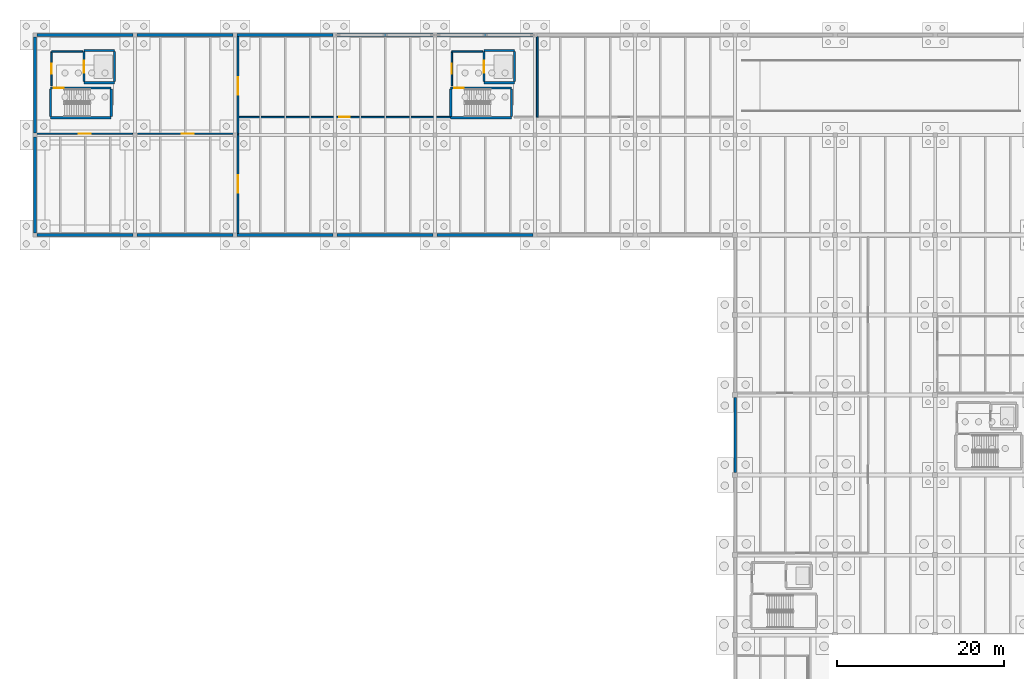
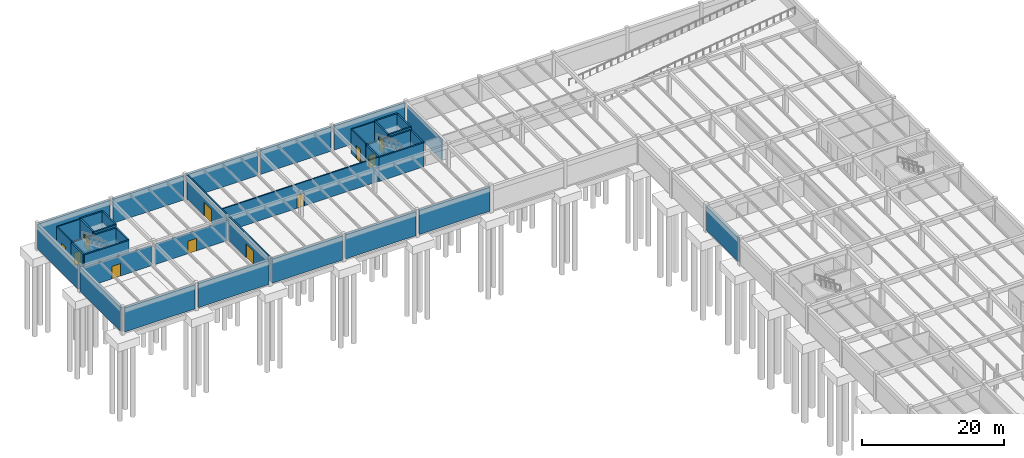
# One storey, part 12 of 20: 39 walls, 11 doors, 11 openings.
"""IFC4 building model written with IfcOpenShell, lengths in metres."""

from ifc_helpers import new_model, si_unit, direction, frame, frame_2d, origin, place, context, subcontext, project, spatial, rectangle, extrude, material, layer, layer_set, type_object, element, fill, save


model = new_model("IFC4")

# Units and contexts
model_context = context("Model", 3, precision=1e-05, world=origin(), true_north=direction((0.0, 1.0)))
body_context = subcontext(model_context, "Body", "Model", "MODEL_VIEW")
ifc_project = project(units=[si_unit("LENGTHUNIT", "METRE"), si_unit("AREAUNIT", "SQUARE_METRE"), si_unit("VOLUMEUNIT", "CUBIC_METRE"), si_unit("PLANEANGLEUNIT", "RADIAN"), si_unit("MASSUNIT", "GRAM", prefix="KILO")], contexts=[model_context])

# Site, building, storey
site_placement = place(None, origin())
site = spatial("IfcSite", under=ifc_project, at=site_placement, CompositionType="ELEMENT")
building_placement = place(site_placement, origin())
building = spatial("IfcBuilding", under=site, at=building_placement, Name="Pandanus Reach Market Hall", CompositionType="ELEMENT")
storey_placement = place(building_placement, frame((0.0, 0.0, -4.5)))
storey = spatial("IfcBuildingStorey", under=building, at=storey_placement, Name="B1", CompositionType="ELEMENT", Elevation=-4.5)

# Wall
ifc_material_1 = material(Name="Concrete N40 (40 MPa)", Category="concrete")
ifc_layer_1 = layer(ifc_material_1, 0.25, Name="WL-CORE-250")
ifc_layer_set_1 = layer_set([ifc_layer_1], Name="Concrete N40 (40 MPa)")
wall_type_1 = type_object("IfcWallType", Name="WL-CORE-250", PredefinedType="SHEAR", material=ifc_layer_set_1)
wall_1_placement = place(storey_placement, frame((61.875, 110.074951171875, 0.0), z_axis=(0.0, 0.0, 1.0), x_axis=(1.0, 0.0, 0.0)))
element("IfcWall", 1, at=wall_1_placement, inside=storey, type_object=wall_type_1, Name="Internal wall WL-CORE-250 WL-0360", PredefinedType="SHEAR", context=body_context, shape_type="SweptSolid", body=[
    extrude(rectangle(XDim=7.27001953125, YDim=0.25, at=frame_2d((3.635009765625, 0.0))), origin(), (0.0, 0.0, 1.0), 4.14990234375),
])

# Wall, opening, door
wall_2_placement = place(storey_placement, frame((61.875, 113.625, 0.0), z_axis=(0.0, 0.0, 1.0), x_axis=(1.0, 0.0, 0.0)))
wall_2 = element("IfcWall", 2, at=wall_2_placement, inside=storey, type_object=wall_type_1, Name="Internal wall WL-CORE-250 WL-0361", PredefinedType="SHEAR", context=body_context, shape_type="SweptSolid", body=[
    extrude(rectangle(XDim=7.27001953125, YDim=0.25, at=frame_2d((3.635009765625, 0.0))), origin(), (0.0, 0.0, 1.0), 4.14990234375),
])
opening_1_placement = place(wall_2_placement, frame((0.39990234375, 0.0, 0.0)))
opening_1 = element("IfcOpeningElement", 3, at=opening_1_placement, cuts=wall_2, Name="Opening DR-FD1", PredefinedType="OPENING", context=body_context, shape_type="SweptSolid", body=[
    extrude(rectangle(XDim=1.14990234375, YDim=2.14990234375, at=frame_2d((0.574951171875, 1.074951171875))), frame((0.0, 0.139892578125, 0.0), z_axis=(0.0, -1.0, 0.0), x_axis=(1.0, 0.0, 0.0)), (0.0, 0.0, 1.0), 0.280029296875),
])
ifc_material_2 = material(Name="Fire-rated steel door", Category="steel")
door_type_1 = type_object("IfcDoorType", Name="DR-FD1", OperationType="NOTDEFINED", PredefinedType="DOOR", material=ifc_material_2)
door_1_placement = place(opening_1_placement, frame((1.14990234375, 0.0, 0.0), z_axis=(0.0, 0.0, 1.0), x_axis=(-1.0, 0.0, 0.0)))
door_1 = element("IfcDoor", 4, at=door_1_placement, inside=storey, type_object=door_type_1, Name="Fire stair door ST-05 B1", OperationType="SINGLE_SWING_LEFT", OverallHeight=2.14990234375, OverallWidth=1.14990234375, PredefinedType="DOOR", context=body_context, shape_type="SweptSolid", body=[
    extrude(rectangle(XDim=1.14990234375, YDim=2.14990234375, at=frame_2d((0.574951171875, 1.074951171875))), frame((0.0, 0.02490234375, 0.0), z_axis=(0.0, -1.0, 0.0), x_axis=(1.0, 0.0, 0.0)), (0.0, 0.0, 1.0), 0.050048828125),
])
fill(opening_1, door_1)

# Walls
for number, where, z_axis, x_axis, name in (
    (5, (61.875, 110.199951171875, 0.0), (0.0, 0.0, 1.0), (0.0, 1.0, 0.0), "Internal wall WL-CORE-250 WL-0362"),
    (6, (69.14501953125, 110.199951171875, 0.0), (0.0, 0.0, 1.0), (0.0, 1.0, 0.0), "Internal wall WL-CORE-250 WL-0363"),
):
    element("IfcWall", number, at=place(storey_placement, frame(where, z_axis=z_axis, x_axis=x_axis)), inside=storey, type_object=wall_type_1, Name=name, PredefinedType="SHEAR", context=body_context, shape_type="SweptSolid", body=[
        extrude(rectangle(XDim=3.300048828125, YDim=0.25, at=frame_2d((1.64990234375, 0.0))), origin(), (0.0, 0.0, 1.0), 4.14990234375),
    ])
for number, where, z_axis, x_axis, name in (
    (7, (65.875, 114.27490234375, 0.0), (0.0, 0.0, 1.0), (1.0, 0.0, 0.0), "Internal wall WL-CORE-250 WL-0364"),
    (8, (65.875, 118.125, 0.0), (0.0, 0.0, 1.0), (1.0, 0.0, 0.0), "Internal wall WL-CORE-250 WL-0365"),
):
    element("IfcWall", number, at=place(storey_placement, frame(where, z_axis=z_axis, x_axis=x_axis)), inside=storey, type_object=wall_type_1, Name=name, PredefinedType="SHEAR", context=body_context, shape_type="SweptSolid", body=[
        extrude(rectangle(XDim=3.64990234375, YDim=0.25, at=frame_2d((1.824951171875, 0.0))), origin(), (0.0, 0.0, 1.0), 4.14990234375),
    ])
wall_3_placement = place(storey_placement, frame((69.52490234375, 114.39990234375, 0.0), z_axis=(0.0, 0.0, 1.0), x_axis=(0.0, 1.0, 0.0)))
element("IfcWall", 9, at=wall_3_placement, inside=storey, type_object=wall_type_1, Name="Internal wall WL-CORE-250 WL-0366", PredefinedType="SHEAR", context=body_context, shape_type="SweptSolid", body=[
    extrude(rectangle(XDim=3.60009765625, YDim=0.25, at=frame_2d((1.800048828125, 0.0))), origin(), (0.0, 0.0, 1.0), 4.14990234375),
])

# Wall, opening, door
wall_4_placement = place(storey_placement, frame((65.875, 114.39990234375, 0.0), z_axis=(0.0, 0.0, 1.0), x_axis=(0.0, 1.0, 0.0)))
wall_4 = element("IfcWall", 10, at=wall_4_placement, inside=storey, type_object=wall_type_1, Name="Internal wall WL-CORE-250 WL-0367", PredefinedType="SHEAR", context=body_context, shape_type="SweptSolid", body=[
    extrude(rectangle(XDim=3.60009765625, YDim=0.25, at=frame_2d((1.800048828125, 0.0))), origin(), (0.0, 0.0, 1.0), 4.14990234375),
])
opening_2_placement = place(wall_4_placement, frame((1.10009765625, 0.0, 0.0)))
opening_2 = element("IfcOpeningElement", 11, at=opening_2_placement, cuts=wall_4, Name="Opening LD-02", PredefinedType="OPENING", context=body_context, shape_type="SweptSolid", body=[
    extrude(rectangle(XDim=1.39990234375, YDim=2.199951171875, at=frame_2d((0.699951171875, 1.10009765625))), frame((0.0, 0.139892578125, 0.0), z_axis=(0.0, -1.0, 0.0), x_axis=(1.0, 0.0, 0.0)), (0.0, 0.0, 1.0), 0.280029296875),
])
ifc_material_3 = material(Name="Heavy goods lift landing door")
door_type_2 = type_object("IfcDoorType", Name="LD-02", OperationType="SLIDING_TO_RIGHT", PredefinedType="DOOR", material=ifc_material_3)
door_2_placement = place(opening_2_placement, origin())
door_2 = element("IfcDoor", 12, at=door_2_placement, inside=storey, type_object=door_type_2, Name="Lift landing door LF-05 LD-02 66", OperationType="SLIDING_TO_RIGHT", OverallHeight=2.199951171875, OverallWidth=1.39990234375, PredefinedType="DOOR", context=body_context, shape_type="SweptSolid", body=[
    extrude(rectangle(XDim=1.39990234375, YDim=2.199951171875, at=frame_2d((0.699951171875, 1.10009765625))), frame((0.0, 0.02490234375, 0.0), z_axis=(0.0, -1.0, 0.0), x_axis=(1.0, 0.0, 0.0)), (0.0, 0.0, 1.0), 0.050048828125),
])
fill(opening_2, door_2)

# Wall
wall_5_placement = place(storey_placement, frame((109.875, 110.074951171875, 0.0), z_axis=(0.0, 0.0, 1.0), x_axis=(1.0, 0.0, 0.0)))
element("IfcWall", 13, at=wall_5_placement, inside=storey, type_object=wall_type_1, Name="Internal wall WL-CORE-250 WL-0390", PredefinedType="SHEAR", context=body_context, shape_type="SweptSolid", body=[
    extrude(rectangle(XDim=7.27001953125, YDim=0.25, at=frame_2d((3.635009765625, 0.0))), origin(), (0.0, 0.0, 1.0), 4.14990234375),
])

# Wall, opening, door
wall_6_placement = place(storey_placement, frame((109.875, 113.625, 0.0), z_axis=(0.0, 0.0, 1.0), x_axis=(1.0, 0.0, 0.0)))
wall_6 = element("IfcWall", 14, at=wall_6_placement, inside=storey, type_object=wall_type_1, Name="Internal wall WL-CORE-250 WL-0391", PredefinedType="SHEAR", context=body_context, shape_type="SweptSolid", body=[
    extrude(rectangle(XDim=7.27001953125, YDim=0.25, at=frame_2d((3.635009765625, 0.0))), origin(), (0.0, 0.0, 1.0), 4.14990234375),
])
opening_3_placement = place(wall_6_placement, frame((0.39990234375, 0.0, 0.0)))
opening_3 = element("IfcOpeningElement", 15, at=opening_3_placement, cuts=wall_6, Name="Opening DR-FD1", PredefinedType="OPENING", context=body_context, shape_type="SweptSolid", body=[
    extrude(rectangle(XDim=1.14990234375, YDim=2.14990234375, at=frame_2d((0.574951171875, 1.074951171875))), frame((0.0, 0.139892578125, 0.0), z_axis=(0.0, -1.0, 0.0), x_axis=(1.0, 0.0, 0.0)), (0.0, 0.0, 1.0), 0.280029296875),
])
door_3_placement = place(opening_3_placement, frame((1.14990234375, 0.0, 0.0), z_axis=(0.0, 0.0, 1.0), x_axis=(-1.0, 0.0, 0.0)))
door_3 = element("IfcDoor", 16, at=door_3_placement, inside=storey, type_object=door_type_1, Name="Fire stair door ST-06 B1", OperationType="SINGLE_SWING_RIGHT", OverallHeight=2.14990234375, OverallWidth=1.14990234375, PredefinedType="DOOR", context=body_context, shape_type="SweptSolid", body=[
    extrude(rectangle(XDim=1.14990234375, YDim=2.14990234375, at=frame_2d((0.574951171875, 1.074951171875))), frame((0.0, 0.02490234375, 0.0), z_axis=(0.0, -1.0, 0.0), x_axis=(1.0, 0.0, 0.0)), (0.0, 0.0, 1.0), 0.050048828125),
])
fill(opening_3, door_3)

# Walls
for number, where, z_axis, x_axis, name in (
    (17, (109.875, 110.199951171875, 0.0), (0.0, 0.0, 1.0), (0.0, 1.0, 0.0), "Internal wall WL-CORE-250 WL-0392"),
    (18, (117.14501953125, 110.199951171875, 0.0), (0.0, 0.0, 1.0), (0.0, 1.0, 0.0), "Internal wall WL-CORE-250 WL-0393"),
):
    element("IfcWall", number, at=place(storey_placement, frame(where, z_axis=z_axis, x_axis=x_axis)), inside=storey, type_object=wall_type_1, Name=name, PredefinedType="SHEAR", context=body_context, shape_type="SweptSolid", body=[
        extrude(rectangle(XDim=3.300048828125, YDim=0.25, at=frame_2d((1.64990234375, 0.0))), origin(), (0.0, 0.0, 1.0), 4.14990234375),
    ])
for number, where, z_axis, x_axis, name in (
    (19, (113.875, 114.27490234375, 0.0), (0.0, 0.0, 1.0), (1.0, 0.0, 0.0), "Internal wall WL-CORE-250 WL-0394"),
    (20, (113.875, 118.125, 0.0), (0.0, 0.0, 1.0), (1.0, 0.0, 0.0), "Internal wall WL-CORE-250 WL-0395"),
):
    element("IfcWall", number, at=place(storey_placement, frame(where, z_axis=z_axis, x_axis=x_axis)), inside=storey, type_object=wall_type_1, Name=name, PredefinedType="SHEAR", context=body_context, shape_type="SweptSolid", body=[
        extrude(rectangle(XDim=3.64990234375, YDim=0.25, at=frame_2d((1.824951171875, 0.0))), origin(), (0.0, 0.0, 1.0), 4.14990234375),
    ])
wall_7_placement = place(storey_placement, frame((117.52490234375, 114.39990234375, 0.0), z_axis=(0.0, 0.0, 1.0), x_axis=(0.0, 1.0, 0.0)))
element("IfcWall", 21, at=wall_7_placement, inside=storey, type_object=wall_type_1, Name="Internal wall WL-CORE-250 WL-0396", PredefinedType="SHEAR", context=body_context, shape_type="SweptSolid", body=[
    extrude(rectangle(XDim=3.60009765625, YDim=0.25, at=frame_2d((1.800048828125, 0.0))), origin(), (0.0, 0.0, 1.0), 4.14990234375),
])

# Wall, opening, door
wall_8_placement = place(storey_placement, frame((113.875, 114.39990234375, 0.0), z_axis=(0.0, 0.0, 1.0), x_axis=(0.0, 1.0, 0.0)))
wall_8 = element("IfcWall", 22, at=wall_8_placement, inside=storey, type_object=wall_type_1, Name="Internal wall WL-CORE-250 WL-0397", PredefinedType="SHEAR", context=body_context, shape_type="SweptSolid", body=[
    extrude(rectangle(XDim=3.60009765625, YDim=0.25, at=frame_2d((1.800048828125, 0.0))), origin(), (0.0, 0.0, 1.0), 4.14990234375),
])
opening_4_placement = place(wall_8_placement, frame((1.10009765625, 0.0, 0.0)))
opening_4 = element("IfcOpeningElement", 23, at=opening_4_placement, cuts=wall_8, Name="Opening LD-02", PredefinedType="OPENING", context=body_context, shape_type="SweptSolid", body=[
    extrude(rectangle(XDim=1.39990234375, YDim=2.199951171875, at=frame_2d((0.699951171875, 1.10009765625))), frame((0.0, 0.139892578125, 0.0), z_axis=(0.0, -1.0, 0.0), x_axis=(1.0, 0.0, 0.0)), (0.0, 0.0, 1.0), 0.280029296875),
])
door_4_placement = place(opening_4_placement, origin())
door_4 = element("IfcDoor", 24, at=door_4_placement, inside=storey, type_object=door_type_2, Name="Lift landing door LF-06 LD-02 75", OperationType="SLIDING_TO_RIGHT", OverallHeight=2.199951171875, OverallWidth=1.39990234375, PredefinedType="DOOR", context=body_context, shape_type="SweptSolid", body=[
    extrude(rectangle(XDim=1.39990234375, YDim=2.199951171875, at=frame_2d((0.699951171875, 1.10009765625))), frame((0.0, 0.02490234375, 0.0), z_axis=(0.0, -1.0, 0.0), x_axis=(1.0, 0.0, 0.0)), (0.0, 0.0, 1.0), 0.050048828125),
])
fill(opening_4, door_4)

ifc_layer_2 = layer(ifc_material_1, 0.199951171875, Name="WL-FIRE-200")
ifc_layer_set_2 = layer_set([ifc_layer_2], Name="Concrete N40 (40 MPa)")
wall_type_2 = type_object("IfcWallType", Name="WL-FIRE-200", PredefinedType="SOLIDWALL", material=ifc_layer_set_2)
wall_9_placement = place(storey_placement, frame((84.35009765625, 96.199951171875, 0.0), z_axis=(0.0, 0.0, 1.0), x_axis=(0.0, 1.0, 0.0)))
wall_9 = element("IfcWall", 25, at=wall_9_placement, inside=storey, type_object=wall_type_2, Name="Internal wall WL-FIRE-200 WL-0448", PredefinedType="SOLIDWALL", context=body_context, shape_type="SweptSolid", body=[
    extrude(rectangle(XDim=11.800048828125, YDim=0.199951171875, at=frame_2d((5.89990234375, 0.0))), origin(), (0.0, 0.0, 1.0), 4.14990234375),
])
opening_5_placement = place(wall_9_placement, frame((4.85009765625, 0.0, 0.0)))
opening_5 = element("IfcOpeningElement", 26, at=opening_5_placement, cuts=wall_9, Name="Opening DR-FD6", PredefinedType="OPENING", context=body_context, shape_type="SweptSolid", body=[
    extrude(rectangle(XDim=2.10009765625, YDim=2.35009765625, at=frame_2d((1.050048828125, 1.175048828125))), frame((0.0, 0.114990234375, 0.0), z_axis=(0.0, -1.0, 0.0), x_axis=(1.0, 0.0, 0.0)), (0.0, 0.0, 1.0), 0.22998046875),
])
ifc_material_4 = material(Name="Fire-rated cold-store pallet double door")
door_type_3 = type_object("IfcDoorType", Name="DR-FD6", OperationType="DOUBLE_DOOR_SINGLE_SWING", PredefinedType="DOOR", material=ifc_material_4)
door_5_placement = place(opening_5_placement, origin())
door_5 = element("IfcDoor", 27, at=door_5_placement, inside=storey, type_object=door_type_3, Name="Cold store chiller fire door DR-FD6 91", OperationType="DOUBLE_DOOR_SINGLE_SWING", OverallHeight=2.35009765625, OverallWidth=2.10009765625, PredefinedType="DOOR", context=body_context, shape_type="SweptSolid", body=[
    extrude(rectangle(XDim=2.10009765625, YDim=2.35009765625, at=frame_2d((1.050048828125, 1.175048828125))), frame((0.0, 0.02490234375, 0.0), z_axis=(0.0, -1.0, 0.0), x_axis=(1.0, 0.0, 0.0)), (0.0, 0.0, 1.0), 0.050048828125),
])
fill(opening_5, door_5)

wall_10_placement = place(storey_placement, frame((84.35009765625, 108.0, 0.0), z_axis=(0.0, 0.0, 1.0), x_axis=(0.0, 1.0, 0.0)))
wall_10 = element("IfcWall", 28, at=wall_10_placement, inside=storey, type_object=wall_type_2, Name="Internal wall WL-FIRE-200 WL-0449", PredefinedType="SOLIDWALL", context=body_context, shape_type="SweptSolid", body=[
    extrude(rectangle(XDim=11.800048828125, YDim=0.199951171875, at=frame_2d((5.89990234375, 0.0))), origin(), (0.0, 0.0, 1.0), 4.14990234375),
])
opening_6_placement = place(wall_10_placement, frame((4.85009765625, 0.0, 0.0)))
opening_6 = element("IfcOpeningElement", 29, at=opening_6_placement, cuts=wall_10, Name="Opening DR-FD6", PredefinedType="OPENING", context=body_context, shape_type="SweptSolid", body=[
    extrude(rectangle(XDim=2.10009765625, YDim=2.35009765625, at=frame_2d((1.050048828125, 1.175048828125))), frame((0.0, 0.114990234375, 0.0), z_axis=(0.0, -1.0, 0.0), x_axis=(1.0, 0.0, 0.0)), (0.0, 0.0, 1.0), 0.22998046875),
])
door_6_placement = place(opening_6_placement, origin())
door_6 = element("IfcDoor", 30, at=door_6_placement, inside=storey, type_object=door_type_3, Name="Meat cold store fire door DR-FD6 92", OperationType="DOUBLE_DOOR_SINGLE_SWING", OverallHeight=2.35009765625, OverallWidth=2.10009765625, PredefinedType="DOOR", context=body_context, shape_type="SweptSolid", body=[
    extrude(rectangle(XDim=2.10009765625, YDim=2.35009765625, at=frame_2d((1.050048828125, 1.175048828125))), frame((0.0, 0.02490234375, 0.0), z_axis=(0.0, -1.0, 0.0), x_axis=(1.0, 0.0, 0.0)), (0.0, 0.0, 1.0), 0.050048828125),
])
fill(opening_6, door_6)

wall_11_placement = place(storey_placement, frame((84.35009765625, 110.14990234375, 0.0), z_axis=(0.0, 0.0, 1.0), x_axis=(1.0, 0.0, 0.0)))
wall_11 = element("IfcWall", 31, at=wall_11_placement, inside=storey, type_object=wall_type_2, Name="Internal wall WL-FIRE-200 WL-0452", PredefinedType="SOLIDWALL", context=body_context, shape_type="SweptSolid", body=[
    extrude(rectangle(XDim=25.5498046875, YDim=0.199951171875, at=frame_2d((12.77490234375, 0.0))), origin(), (0.0, 0.0, 1.0), 4.14990234375),
])
opening_7_placement = place(wall_11_placement, frame((12.14990234375, 0.0, 0.0)))
opening_7 = element("IfcOpeningElement", 32, at=opening_7_placement, cuts=wall_11, Name="Opening DR-FD2", PredefinedType="OPENING", context=body_context, shape_type="SweptSolid", body=[
    extrude(rectangle(XDim=1.25, YDim=2.199951171875, at=frame_2d((0.625, 1.10009765625))), frame((0.0, 0.114990234375, 0.0), z_axis=(0.0, -1.0, 0.0), x_axis=(1.0, 0.0, 0.0)), (0.0, 0.0, 1.0), 0.22998046875),
])
door_type_4 = type_object("IfcDoorType", Name="DR-FD2", OperationType="NOTDEFINED", PredefinedType="DOOR", material=ifc_material_2)
door_7_placement = place(opening_7_placement, origin())
door_7 = element("IfcDoor", 33, at=door_7_placement, inside=storey, type_object=door_type_4, Name="Freezer vault 1 door DR-FD2 95", OperationType="SINGLE_SWING_RIGHT", OverallHeight=2.199951171875, OverallWidth=1.25, PredefinedType="DOOR", context=body_context, shape_type="SweptSolid", body=[
    extrude(rectangle(XDim=1.25, YDim=2.199951171875, at=frame_2d((0.625, 1.10009765625))), frame((0.0, 0.02490234375, 0.0), z_axis=(0.0, -1.0, 0.0), x_axis=(1.0, 0.0, 0.0)), (0.0, 0.0, 1.0), 0.050048828125),
])
fill(opening_7, door_7)

# Wall
wall_12_placement = place(storey_placement, frame((120.25, 110.14990234375, 0.0), z_axis=(0.0, 0.0, 1.0), x_axis=(0.0, 1.0, 0.0)))
element("IfcWall", 34, at=wall_12_placement, inside=storey, type_object=wall_type_2, Name="Internal wall WL-FIRE-200 WL-0454", PredefinedType="SOLIDWALL", context=body_context, shape_type="SweptSolid", body=[
    extrude(rectangle(XDim=9.650146484375, YDim=0.199951171875, at=frame_2d((4.8251953125, 0.0))), origin(), (0.0, 0.0, 1.0), 3.52001953125),
])

# Wall, opening, door
ifc_layer_3 = layer(ifc_material_1, 0.175048828125, Name="WL-LOB-175")
ifc_layer_set_3 = layer_set([ifc_layer_3], Name="Concrete N40 (40 MPa)")
wall_type_3 = type_object("IfcWallType", Name="WL-LOB-175", PredefinedType="PARTITIONING", material=ifc_layer_set_3)
wall_13_placement = place(storey_placement, frame((62.0, 113.89990234375, 0.0), z_axis=(0.0, 0.0, 1.0), x_axis=(0.0, 1.0, 0.0)))
wall_13 = element("IfcWall", 35, at=wall_13_placement, inside=storey, type_object=wall_type_3, Name="Internal wall WL-LOB-175 WL-0368", PredefinedType="PARTITIONING", context=body_context, shape_type="SweptSolid", body=[
    extrude(rectangle(XDim=4.10009765625, YDim=0.175048828125, at=frame_2d((2.050048828125, 0.0))), origin(), (0.0, 0.0, 1.0), 4.14990234375),
])
opening_8_placement = place(wall_13_placement, frame((1.425048828125, 0.0, 0.0)))
opening_8 = element("IfcOpeningElement", 36, at=opening_8_placement, cuts=wall_13, Name="Opening DR-FD2", PredefinedType="OPENING", context=body_context, shape_type="SweptSolid", body=[
    extrude(rectangle(XDim=1.25, YDim=2.199951171875, at=frame_2d((0.625, 1.10009765625))), frame((0.0, 0.1025390625, 0.0), z_axis=(0.0, -1.0, 0.0), x_axis=(1.0, 0.0, 0.0)), (0.0, 0.0, 1.0), 0.205078125),
])
door_8_placement = place(opening_8_placement, frame((1.25, 0.0, 0.0), z_axis=(0.0, 0.0, 1.0), x_axis=(-1.0, 0.0, 0.0)))
door_8 = element("IfcDoor", 37, at=door_8_placement, inside=storey, type_object=door_type_4, Name="Core C5 lobby fire door DR-FD2 67", OperationType="SINGLE_SWING_RIGHT", OverallHeight=2.199951171875, OverallWidth=1.25, PredefinedType="DOOR", context=body_context, shape_type="SweptSolid", body=[
    extrude(rectangle(XDim=1.25, YDim=2.199951171875, at=frame_2d((0.625, 1.10009765625))), frame((0.0, 0.02490234375, 0.0), z_axis=(0.0, -1.0, 0.0), x_axis=(1.0, 0.0, 0.0)), (0.0, 0.0, 1.0), 0.050048828125),
])
fill(opening_8, door_8)

# Wall
wall_14_placement = place(storey_placement, frame((62.0, 118.0, 0.0), z_axis=(0.0, 0.0, 1.0), x_axis=(1.0, 0.0, 0.0)))
element("IfcWall", 38, at=wall_14_placement, inside=storey, type_object=wall_type_3, Name="Internal wall WL-LOB-175 WL-0369", PredefinedType="PARTITIONING", context=body_context, shape_type="SweptSolid", body=[
    extrude(rectangle(XDim=3.699951171875, YDim=0.175048828125, at=frame_2d((1.85009765625, 0.0))), origin(), (0.0, 0.0, 1.0), 4.14990234375),
])

# Wall, opening, door
wall_15_placement = place(storey_placement, frame((110.0, 113.89990234375, 0.0), z_axis=(0.0, 0.0, 1.0), x_axis=(0.0, 1.0, 0.0)))
wall_15 = element("IfcWall", 39, at=wall_15_placement, inside=storey, type_object=wall_type_3, Name="Internal wall WL-LOB-175 WL-0398", PredefinedType="PARTITIONING", context=body_context, shape_type="SweptSolid", body=[
    extrude(rectangle(XDim=4.10009765625, YDim=0.175048828125, at=frame_2d((2.050048828125, 0.0))), origin(), (0.0, 0.0, 1.0), 4.14990234375),
])
opening_9_placement = place(wall_15_placement, frame((1.425048828125, 0.0, 0.0)))
opening_9 = element("IfcOpeningElement", 40, at=opening_9_placement, cuts=wall_15, Name="Opening DR-FD2", PredefinedType="OPENING", context=body_context, shape_type="SweptSolid", body=[
    extrude(rectangle(XDim=1.25, YDim=2.199951171875, at=frame_2d((0.625, 1.10009765625))), frame((0.0, 0.1025390625, 0.0), z_axis=(0.0, -1.0, 0.0), x_axis=(1.0, 0.0, 0.0)), (0.0, 0.0, 1.0), 0.205078125),
])
door_9_placement = place(opening_9_placement, frame((1.25, 0.0, 0.0), z_axis=(0.0, 0.0, 1.0), x_axis=(-1.0, 0.0, 0.0)))
door_9 = element("IfcDoor", 41, at=door_9_placement, inside=storey, type_object=door_type_4, Name="Core C6 lobby fire door DR-FD2 76", OperationType="SINGLE_SWING_LEFT", OverallHeight=2.199951171875, OverallWidth=1.25, PredefinedType="DOOR", context=body_context, shape_type="SweptSolid", body=[
    extrude(rectangle(XDim=1.25, YDim=2.199951171875, at=frame_2d((0.625, 1.10009765625))), frame((0.0, 0.02490234375, 0.0), z_axis=(0.0, -1.0, 0.0), x_axis=(1.0, 0.0, 0.0)), (0.0, 0.0, 1.0), 0.050048828125),
])
fill(opening_9, door_9)

# Wall
wall_16_placement = place(storey_placement, frame((110.0, 118.0, 0.0), z_axis=(0.0, 0.0, 1.0), x_axis=(1.0, 0.0, 0.0)))
element("IfcWall", 42, at=wall_16_placement, inside=storey, type_object=wall_type_3, Name="Internal wall WL-LOB-175 WL-0399", PredefinedType="PARTITIONING", context=body_context, shape_type="SweptSolid", body=[
    extrude(rectangle(XDim=3.699951171875, YDim=0.175048828125, at=frame_2d((1.85009765625, 0.0))), origin(), (0.0, 0.0, 1.0), 4.14990234375),
])

# Wall, opening, door
ifc_material_5 = material(Name="Acoustic plasterboard on steel framing", Category="steel")
ifc_layer_4 = layer(ifc_material_5, 0.14990234375, Name="WL-PRT-150")
ifc_layer_set_4 = layer_set([ifc_layer_4], Name="Acoustic plasterboard on steel framing")
wall_type_4 = type_object("IfcWallType", Name="WL-PRT-150", PredefinedType="PARTITIONING", material=ifc_layer_set_4)
wall_17_placement = place(storey_placement, frame((60.199951171875, 108.14990234375, 0.0), z_axis=(0.0, 0.0, 1.0), x_axis=(1.0, 0.0, 0.0)))
wall_17 = element("IfcWall", 43, at=wall_17_placement, inside=storey, type_object=wall_type_4, Name="Internal wall WL-PRT-150 WL-0450", PredefinedType="PARTITIONING", context=body_context, shape_type="SweptSolid", body=[
    extrude(rectangle(XDim=11.5, YDim=0.14990234375, at=frame_2d((5.75, 0.0))), origin(), (0.0, 0.0, 1.0), 3.52001953125),
])
opening_10_placement = place(wall_17_placement, frame((5.02490234375, 0.0, 0.0)))
opening_10 = element("IfcOpeningElement", 44, at=opening_10_placement, cuts=wall_17, Name="Opening DR-I14", PredefinedType="OPENING", context=body_context, shape_type="SweptSolid", body=[
    extrude(rectangle(XDim=1.449951171875, YDim=2.14990234375, at=frame_2d((0.72509765625, 1.074951171875))), frame((0.0, 0.08984375, 0.0), z_axis=(0.0, -1.0, 0.0), x_axis=(1.0, 0.0, 0.0)), (0.0, 0.0, 1.0), 0.179931640625),
])
ifc_material_6 = material(Name="Cold-store insulated leaf door")
door_type_5 = type_object("IfcDoorType", Name="DR-I14", OperationType="NOTDEFINED", PredefinedType="DOOR", material=ifc_material_6)
door_10_placement = place(opening_10_placement, origin())
door_10 = element("IfcDoor", 45, at=door_10_placement, inside=storey, type_object=door_type_5, Name="Chiller interconnect door DR-I14 93", OperationType="SINGLE_SWING_RIGHT", OverallHeight=2.14990234375, OverallWidth=1.449951171875, PredefinedType="DOOR", context=body_context, shape_type="SweptSolid", body=[
    extrude(rectangle(XDim=1.449951171875, YDim=2.14990234375, at=frame_2d((0.72509765625, 1.074951171875))), frame((0.0, 0.02490234375, 0.0), z_axis=(0.0, -1.0, 0.0), x_axis=(1.0, 0.0, 0.0)), (0.0, 0.0, 1.0), 0.050048828125),
])
fill(opening_10, door_10)

wall_18_placement = place(storey_placement, frame((72.300048828125, 108.14990234375, 0.0), z_axis=(0.0, 0.0, 1.0), x_axis=(1.0, 0.0, 0.0)))
wall_18 = element("IfcWall", 46, at=wall_18_placement, inside=storey, type_object=wall_type_4, Name="Internal wall WL-PRT-150 WL-0451", PredefinedType="PARTITIONING", context=body_context, shape_type="SweptSolid", body=[
    extrude(rectangle(XDim=12.050048828125, YDim=0.14990234375, at=frame_2d((6.02490234375, 0.0))), origin(), (0.0, 0.0, 1.0), 3.52001953125),
])
opening_11_placement = place(wall_18_placement, frame((5.300048828125, 0.0, 0.0)))
opening_11 = element("IfcOpeningElement", 47, at=opening_11_placement, cuts=wall_18, Name="Opening DR-I14", PredefinedType="OPENING", context=body_context, shape_type="SweptSolid", body=[
    extrude(rectangle(XDim=1.449951171875, YDim=2.14990234375, at=frame_2d((0.72509765625, 1.074951171875))), frame((0.0, 0.08984375, 0.0), z_axis=(0.0, -1.0, 0.0), x_axis=(1.0, 0.0, 0.0)), (0.0, 0.0, 1.0), 0.179931640625),
])
door_11_placement = place(opening_11_placement, origin())
door_11 = element("IfcDoor", 48, at=door_11_placement, inside=storey, type_object=door_type_5, Name="Meat chiller 2 cold-store door DR-I14 94", OperationType="SINGLE_SWING_LEFT", OverallHeight=2.14990234375, OverallWidth=1.449951171875, PredefinedType="DOOR", context=body_context, shape_type="SweptSolid", body=[
    extrude(rectangle(XDim=1.449951171875, YDim=2.14990234375, at=frame_2d((0.72509765625, 1.074951171875))), frame((0.0, 0.02490234375, 0.0), z_axis=(0.0, -1.0, 0.0), x_axis=(1.0, 0.0, 0.0)), (0.0, 0.0, 1.0), 0.050048828125),
])
fill(opening_11, door_11)

# Walls
ifc_layer_5 = layer(ifc_material_1, 0.320068359375, Name="WL-RET-320")
ifc_layer_set_5 = layer_set([ifc_layer_5], Name="Concrete N40 (40 MPa)")
wall_type_5 = type_object("IfcWallType", Name="WL-RET-320", PredefinedType="USERDEFINED", material=ifc_layer_set_5)
for number, where, z_axis, x_axis, name in (
    (49, (60.0, 96.25, 0.0), (0.0, 0.0, 1.0), (0.0, 1.0, 0.0), "External wall WL-RET-320 WL-0026"),
    (50, (60.0, 108.25, 0.0), (0.0, 0.0, 1.0), (0.0, 1.0, 0.0), "External wall WL-RET-320 WL-0027"),
    (51, (60.25, 96.0, 0.0), (0.0, 0.0, 1.0), (1.0, 0.0, 0.0), "External wall WL-RET-320 WL-0028"),
    (52, (72.25, 96.0, 0.0), (0.0, 0.0, 1.0), (1.0, 0.0, 0.0), "External wall WL-RET-320 WL-0029"),
    (53, (84.25, 96.0, 0.0), (0.0, 0.0, 1.0), (1.0, 0.0, 0.0), "External wall WL-RET-320 WL-0030"),
    (54, (96.25, 96.0, 0.0), (0.0, 0.0, 1.0), (1.0, 0.0, 0.0), "External wall WL-RET-320 WL-0031"),
    (55, (108.25, 96.0, 0.0), (0.0, 0.0, 1.0), (1.0, 0.0, 0.0), "External wall WL-RET-320 WL-0032"),
):
    element("IfcWall", number, at=place(storey_placement, frame(where, z_axis=z_axis, x_axis=x_axis)), inside=storey, type_object=wall_type_5, Name=name, ObjectType="RETAINING", PredefinedType="USERDEFINED", context=body_context, shape_type="SweptSolid", body=[
        extrude(rectangle(XDim=11.5, YDim=0.320068359375, at=frame_2d((5.75, 0.0))), origin(), (0.0, 0.0, 1.0), 4.14990234375),
    ])
wall_19_placement = place(storey_placement, frame((144.0, 67.5, 0.0), z_axis=(0.0, 0.0, 1.0), x_axis=(0.0, 1.0, 0.0)))
element("IfcWall", 56, at=wall_19_placement, inside=storey, type_object=wall_type_5, Name="External wall WL-RET-320 WL-0042", ObjectType="RETAINING", PredefinedType="USERDEFINED", context=body_context, shape_type="SweptSolid", body=[
    extrude(rectangle(XDim=9.0, YDim=0.320068359375, at=frame_2d((4.5, 0.0))), origin(), (0.0, 0.0, 1.0), 4.14990234375),
])
ifc_layer_6 = layer(ifc_material_1, 0.360107421875, Name="WL-RET-360")
ifc_layer_set_6 = layer_set([ifc_layer_6], Name="Concrete N40 (40 MPa)")
wall_type_6 = type_object("IfcWallType", Name="WL-RET-360", PredefinedType="USERDEFINED", material=ifc_layer_set_6)
for number, where, z_axis, x_axis, name in (
    (57, (60.25, 120.0, 0.0), (0.0, 0.0, 1.0), (1.0, 0.0, 0.0), "External wall WL-RET-360 WL-0016"),
    (58, (72.25, 120.0, 0.0), (0.0, 0.0, 1.0), (1.0, 0.0, 0.0), "External wall WL-RET-360 WL-0017"),
    (59, (84.25, 120.0, 0.0), (0.0, 0.0, 1.0), (1.0, 0.0, 0.0), "External wall WL-RET-360 WL-0018"),
    (60, (96.25, 120.0, 0.0), (0.0, 0.0, 1.0), (1.0, 0.0, 0.0), "External wall WL-RET-360 WL-0019"),
    (61, (108.25, 120.0, 0.0), (0.0, 0.0, 1.0), (1.0, 0.0, 0.0), "External wall WL-RET-360 WL-0020"),
):
    element("IfcWall", number, at=place(storey_placement, frame(where, z_axis=z_axis, x_axis=x_axis)), inside=storey, type_object=wall_type_6, Name=name, ObjectType="RETAINING", PredefinedType="USERDEFINED", context=body_context, shape_type="SweptSolid", body=[
        extrude(rectangle(XDim=11.5, YDim=0.360107421875, at=frame_2d((5.75, 0.0))), origin(), (0.0, 0.0, 1.0), 4.14990234375),
    ])

save(model, "model.ifc")
